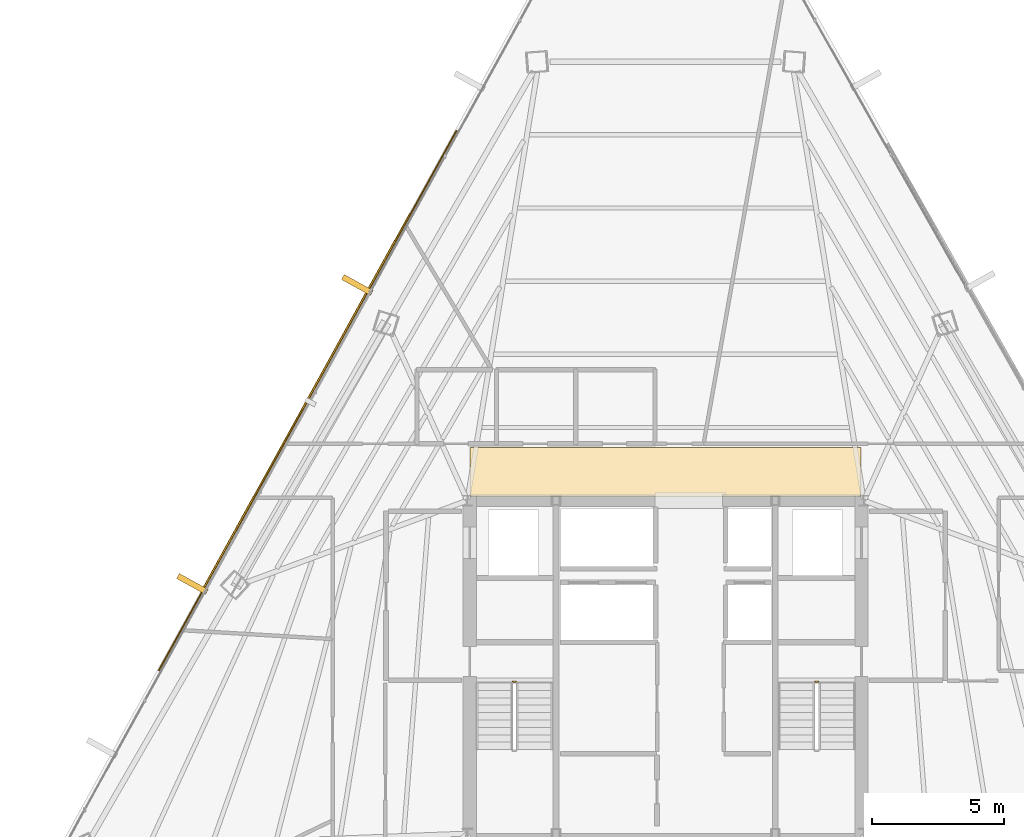
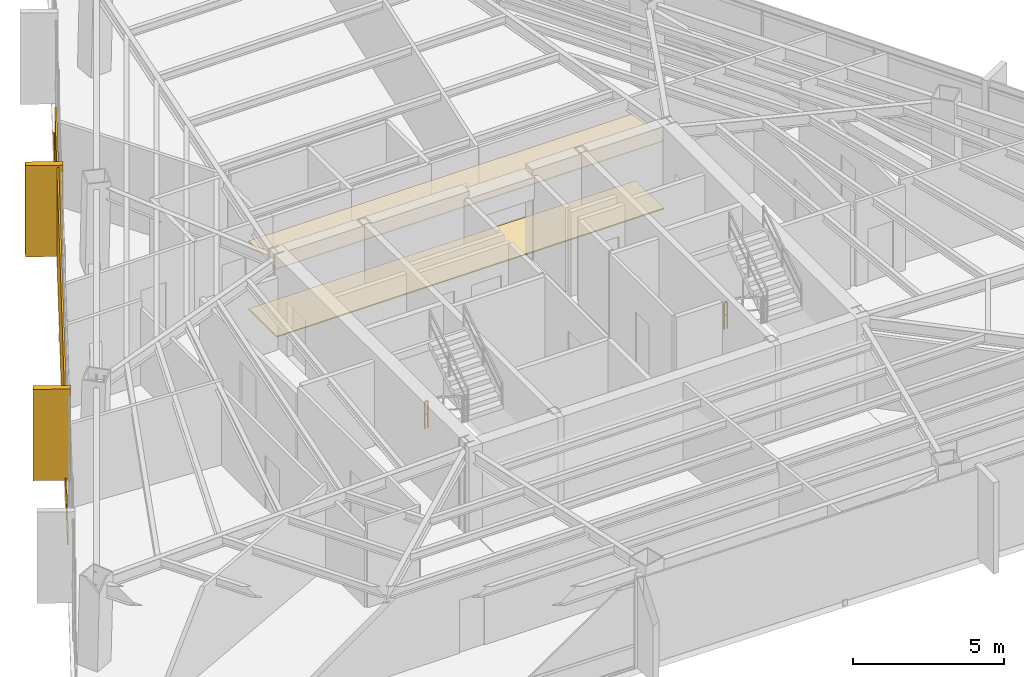
# One storey, part 39 of 40: 5 coverings, 2 railings, 1 shading device.
"""IFC4 building model written with IfcOpenShell, lengths in metres."""

import ifcopenshell
import ifcopenshell.guid

model = None  # the IFC model being written
_history = None  # IfcOwnerHistory: only IFC2X3 demands one
_inside = {}  # id of a spatial element -> (the spatial element, [elements in it])
_under = {}  # id of a project, library or spatial element -> (it, [spatial elements below it])
_declared = {}  # id of a project -> (the project, [libraries it declares])
_typed = {}  # id of a type object -> (the type object, [elements of that type])
_made_of = {}  # id of a material, layer set ... -> (it, [elements and type objects made of it])


def new_model(schema):
    """Start an empty IFC model of exactly this schema.

    Asked for "IFC4X3", IfcOpenShell would pick the latest addendum, in which some entities
    have other attributes; the version numbers below select the first issue.
    IFC2X3 requires an IfcOwnerHistory on every rooted entity: one is made here for all.
    """
    global model, _history
    if schema == "IFC4X3":
        model = ifcopenshell.file(schema_version=(4, 3, 0, 0))
    else:
        model = ifcopenshell.file(schema=schema)
    _inside.clear()
    _under.clear()
    _declared.clear()
    _typed.clear()
    _made_of.clear()
    _history = None
    if model.schema == "IFC2X3":
        org = make("IfcOrganization", Name="unknown")
        user = make(
            "IfcPersonAndOrganization",
            ThePerson=make("IfcPerson", FamilyName="unknown"),
            TheOrganization=org,
        )
        app = make(
            "IfcApplication",
            ApplicationDeveloper=org,
            Version="unknown",
            ApplicationFullName="unknown",
            ApplicationIdentifier="unknown",
        )
        _history = make(
            "IfcOwnerHistory",
            OwningUser=user,
            OwningApplication=app,
            ChangeAction="ADDED",
            CreationDate=0,
        )
    return model


def make(cls, **values):
    """One entity of the class cls with the attributes given. An attribute that is None is left unset."""
    return model.create_entity(
        cls, **{name: value for name, value in values.items() if value is not None}
    )


def rooted(cls, **values):
    """An entity with a GlobalId (a new one), such as an element, a storey or a relation."""
    return make(cls, GlobalId=ifcopenshell.guid.new(), OwnerHistory=_history, **values)


def si_unit(unit_type, name, prefix=None):
    """IfcSIUnit, for example si_unit("LENGTHUNIT", "METRE", prefix="MILLI")."""
    return make("IfcSIUnit", UnitType=unit_type, Prefix=prefix, Name=name)


def assignment(units):
    """IfcUnitAssignment: the units of a project."""
    return None if units is None else make("IfcUnitAssignment", Units=units)


def point(xyz):
    """IfcCartesianPoint."""
    return None if xyz is None else make("IfcCartesianPoint", Coordinates=xyz)


def direction(xyz):
    """IfcDirection."""
    return None if xyz is None else make("IfcDirection", DirectionRatios=xyz)


def frame(location, z_axis=None, x_axis=None):
    """IfcAxis2Placement3D, a coordinate frame: its origin and axes. An axis left out is left unset."""
    return make(
        "IfcAxis2Placement3D",
        Location=point(location),
        Axis=direction(z_axis),
        RefDirection=direction(x_axis),
    )


def frame_2d(location, x_axis=None):
    """IfcAxis2Placement2D, a coordinate frame in the plane: its origin and x axis."""
    return make(
        "IfcAxis2Placement2D", Location=point(location), RefDirection=direction(x_axis)
    )


def origin():
    """The frame at (0, 0, 0) with its axes left unset."""
    return frame((0.0, 0.0, 0.0))


def origin_2d():
    """The frame at (0, 0) in the plane with its x axis left unset."""
    return frame_2d((0.0, 0.0))


def place(relative_to, where):
    """IfcLocalPlacement: puts the frame where relative to a parent placement (None: the world)."""
    return make(
        "IfcLocalPlacement", PlacementRelTo=relative_to, RelativePlacement=where
    )


def context(
    kind, dimensions, precision=None, world=None, true_north=None, identifier=None
):
    """IfcGeometricRepresentationContext, for example the 3D "Model" context."""
    return make(
        "IfcGeometricRepresentationContext",
        ContextIdentifier=identifier,
        ContextType=kind,
        CoordinateSpaceDimension=dimensions,
        Precision=precision,
        WorldCoordinateSystem=world,
        TrueNorth=true_north,
    )


def subcontext(parent, identifier, kind, view, scale=None):
    """IfcGeometricRepresentationSubContext, for example "Body" below "Model"."""
    return make(
        "IfcGeometricRepresentationSubContext",
        ContextIdentifier=identifier,
        ContextType=kind,
        ParentContext=parent,
        TargetScale=scale,
        TargetView=view,
    )


def project(units=None, contexts=None):
    """IfcProject with its units and contexts."""
    return rooted(
        "IfcProject",
        Name="project",
        RepresentationContexts=contexts,
        UnitsInContext=assignment(units),
    )


def spatial(cls, under=None, at=None, **own):
    """A site, building, storey or space (cls), placed at a placement, below another one or the project."""
    s = rooted(cls, ObjectPlacement=at, **own)
    if under is not None:
        _under.setdefault(under.id(), (under, []))[1].append(s)
    return s


def polyline(points):
    """IfcPolyline through the points."""
    return make("IfcPolyline", Points=[point(p) for p in points])


def profile(cls, at=None, kind="AREA", **sizes):
    """A parametric profile (cls). Its sizes go by their IFC names, for example OverallWidth=200.0."""
    return make(cls, ProfileType=kind, Position=at, **sizes)


def rectangle(**sizes):
    """IfcRectangleProfileDef."""
    return profile("IfcRectangleProfileDef", **sizes)


def outline(outer, holes=None, kind="AREA"):
    """IfcArbitraryClosedProfileDef: a profile drawn as a closed curve; with holes, ...WithVoids."""
    if holes is None:
        return make("IfcArbitraryClosedProfileDef", ProfileType=kind, OuterCurve=outer)
    return make(
        "IfcArbitraryProfileDefWithVoids",
        ProfileType=kind,
        OuterCurve=outer,
        InnerCurves=holes,
    )


def extrude(swept, where, along, depth):
    """IfcExtrudedAreaSolid: the profile swept, set in the frame where, extruded along a direction by depth."""
    return make(
        "IfcExtrudedAreaSolid",
        SweptArea=swept,
        Position=where,
        ExtrudedDirection=direction(along),
        Depth=depth,
    )


def shape(context_of_items, identifier, shape_type, items):
    """IfcShapeRepresentation: the items that make up one representation, for example the "Body"."""
    return make(
        "IfcShapeRepresentation",
        ContextOfItems=context_of_items,
        RepresentationIdentifier=identifier,
        RepresentationType=shape_type,
        Items=items,
    )


def source(mapping_origin, context_of_items, identifier, shape_type, items):
    """IfcRepresentationMap: a shape defined once, which mapped items show again and again."""
    return make(
        "IfcRepresentationMap",
        MappingOrigin=mapping_origin,
        MappedRepresentation=shape(context_of_items, identifier, shape_type, items),
    )


def transform(
    local_origin,
    x_axis=None,
    y_axis=None,
    z_axis=None,
    scale=None,
    scale2=None,
    scale3=None,
    uniform=True,
):
    """IfcCartesianTransformationOperator3D, or its non-uniform kind. x_axis, y_axis, z_axis: its Axis1, 2, 3."""
    if uniform:
        return make(
            "IfcCartesianTransformationOperator3D",
            Axis1=direction(x_axis),
            Axis2=direction(y_axis),
            LocalOrigin=point(local_origin),
            Scale=scale,
            Axis3=direction(z_axis),
        )
    return make(
        "IfcCartesianTransformationOperator3DnonUniform",
        Axis1=direction(x_axis),
        Axis2=direction(y_axis),
        LocalOrigin=point(local_origin),
        Scale=scale,
        Axis3=direction(z_axis),
        Scale2=scale2,
        Scale3=scale3,
    )


def mapped(mapping_source, mapping_target):
    """IfcMappedItem: shows the shape of a source again, moved by a transform."""
    return make(
        "IfcMappedItem", MappingSource=mapping_source, MappingTarget=mapping_target
    )


def material(Name=None, Category=None):
    """IfcMaterial."""
    return make("IfcMaterial", Name=Name, Category=Category)


def layer(
    of_material, thickness, ventilated=None, Name=None, Category=None, Priority=None
):
    """IfcMaterialLayer: one layer of a wall or slab, of a material (None: an air gap)."""
    return make(
        "IfcMaterialLayer",
        Material=of_material,
        LayerThickness=thickness,
        IsVentilated=ventilated,
        Name=Name,
        Category=Category,
        Priority=Priority,
    )


def layer_set(layers, Name=None):
    """IfcMaterialLayerSet."""
    return make("IfcMaterialLayerSet", MaterialLayers=layers, LayerSetName=Name)


def made_of(thing, what):
    """Note that an element or type object is made of a material, layer set ...; save() writes the relation."""
    if what is not None:
        _made_of.setdefault(what.id(), (what, []))[1].append(thing)
    return thing


def type_object(cls, material=None, **own):
    """A type object (cls), such as IfcWallType, which elements share."""
    return made_of(rooted(cls, **own), material)


def type_shapes(of_type, sources):
    """Give a type object the sources (RepresentationMaps) that its elements show as mapped items."""
    of_type.RepresentationMaps = sources


def element(
    cls,
    number,
    at=None,
    inside=None,
    cuts=None,
    type_object=None,
    material=None,
    context=None,
    identifier="Body",
    shape_type=None,
    held_by="IfcProductDefinitionShape",
    body=None,
    shapes=None,
    **own,
):
    """One element of the class cls, such as IfcWall. Its Tag is "e" and its number.

    at: its placement. inside: the storey or other place that contains it. cuts: it is an
    opening in that element (IfcRelVoidsElement). A single representation is given by context,
    identifier, shape_type and body (its items); several are given by shapes. held_by: the class
    of the entity that holds the representations. save() writes the other relations.
    """
    e = rooted(cls, Tag="e%d" % number, ObjectPlacement=at, **own)
    if body is not None:
        shapes = [shape(context, identifier, shape_type, body)]
    if shapes is not None:
        e.Representation = make(held_by, Representations=shapes)
    if inside is not None:
        _inside.setdefault(inside.id(), (inside, []))[1].append(e)
    if cuts is not None:
        rooted(
            "IfcRelVoidsElement", RelatingBuildingElement=cuts, RelatedOpeningElement=e
        )
    if type_object is not None:
        _typed.setdefault(type_object.id(), (type_object, []))[1].append(e)
    return made_of(e, material)


def aggregate(whole, parts):
    """IfcRelAggregates: a whole, such as a stair, and the parts it consists of."""
    return rooted("IfcRelAggregates", RelatingObject=whole, RelatedObjects=parts)


def save(model, path):
    """Write the relations noted so far, then the file.

    IfcRelAggregates (storeys below a building ...), IfcRelContainedInSpatialStructure (elements
    in a storey), IfcRelDefinesByType, IfcRelAssociatesMaterial and IfcRelDeclares: one each for
    every whole, place, type object, material and project.
    """
    for whole, parts in _under.values():
        aggregate(whole, parts)
    for where, things in _inside.values():
        rooted(
            "IfcRelContainedInSpatialStructure",
            RelatedElements=things,
            RelatingStructure=where,
        )
    for kind, things in _typed.values():
        rooted("IfcRelDefinesByType", RelatedObjects=things, RelatingType=kind)
    for what, things in _made_of.values():
        rooted("IfcRelAssociatesMaterial", RelatedObjects=things, RelatingMaterial=what)
    for by, libraries in _declared.values():
        rooted("IfcRelDeclares", RelatingContext=by, RelatedDefinitions=libraries)
    model.write(path)


model = new_model("IFC4")

# Units and contexts
model_context = context("Model", 3, precision=1e-05, world=origin(), true_north=direction((0.0, 1.0)))
body_context = subcontext(model_context, "Body", "Model", "MODEL_VIEW")
ifc_project = project(units=[si_unit("LENGTHUNIT", "METRE"), si_unit("AREAUNIT", "SQUARE_METRE"), si_unit("VOLUMEUNIT", "CUBIC_METRE"), si_unit("PLANEANGLEUNIT", "RADIAN"), si_unit("MASSUNIT", "GRAM", prefix="KILO")], contexts=[model_context])

# Site, building, storey
site_placement = place(None, origin())
site = spatial("IfcSite", under=ifc_project, at=site_placement, CompositionType="ELEMENT")
building_placement = place(site_placement, origin())
building = spatial("IfcBuilding", under=site, at=building_placement, Name="Caelisora Broadcast Tower", CompositionType="ELEMENT")
storey_placement = place(building_placement, frame((0.0, 0.0, 213.25)))
storey = spatial("IfcBuildingStorey", under=building, at=storey_placement, Name="L56", CompositionType="ELEMENT", Elevation=213.25)

# Coverings
ifc_material_1 = material(Name="Perforated Mineral-Fibre Acoustic Ceiling Tile", Category="gypsum")
ifc_layer_1 = layer(ifc_material_1, 0.034912109375, Name="Perforated Mineral-Fibre Acoustic Ceiling Tile")
ifc_layer_set_1 = layer_set([ifc_layer_1], Name="Perforated Mineral-Fibre Acoustic Ceiling Tile")
covering_type_1 = type_object("IfcCoveringType", Name="CE-1", PredefinedType="CEILING", material=ifc_layer_set_1)
covering_1_placement = place(storey_placement, frame((0.0, 0.0, 2.75)))
element("IfcCovering", 1, at=covering_1_placement, inside=storey, type_object=covering_type_1, Name="L56 acoustic corridor ceiling CE-1 (N)", PredefinedType="CEILING", context=body_context, shape_type="SweptSolid", body=[
    extrude(outline(polyline([(30.60009765625, 30.14990234375), (45.39990234375, 30.14990234375), (45.39990234375, 32.0), (30.60009765625, 32.0), (30.60009765625, 30.14990234375)])), origin(), (0.0, 0.0, 1.0), 0.034912109375),
])
ifc_material_2 = material(Name="Anti-Static Broadcast Raised Access Floor Panel", Category="steel")
ifc_layer_2 = layer(ifc_material_2, 0.044921875, Name="Anti-Static Broadcast Raised Access Floor Panel")
ifc_layer_set_2 = layer_set([ifc_layer_2], Name="Anti-Static Broadcast Raised Access Floor Panel")
covering_type_2 = type_object("IfcCoveringType", Name="FL-1", PredefinedType="FLOORING", material=ifc_layer_set_2)
covering_2_placement = place(storey_placement, origin())
element("IfcCovering", 2, at=covering_2_placement, inside=storey, type_object=covering_type_2, Name="L56 broadcast raised access floor FL-1 (N)", PredefinedType="FLOORING", context=body_context, shape_type="SweptSolid", body=[
    extrude(outline(polyline([(30.60009765625, 30.14990234375), (45.39990234375, 30.14990234375), (45.39990234375, 32.0), (30.60009765625, 32.0), (30.60009765625, 30.14990234375)])), origin(), (0.0, 0.0, 1.0), 0.044921875),
])

# Railings
ifc_material_3 = material(Name="Galvanised Steel Safety Guardrail", Category="steel")
ifc_layer_3 = layer(ifc_material_3, 0.048095703125, Name="Galvanised Steel Safety Guardrail")
ifc_layer_set_3 = layer_set([ifc_layer_3], Name="Galvanised Steel Safety Guardrail")
railing_type = type_object("IfcRailingType", Name="GR-1", PredefinedType="GUARDRAIL", material=ifc_layer_set_3)
for number, where, name in (
    (3, (32.219970703125, 23.14990234375, 0.0), "L56 ST-1 stair guard 4"),
    (4, (43.659912109375, 23.14990234375, 0.0), "L56 ST-2 stair guard 4"),
):
    element("IfcRailing", number, at=place(storey_placement, frame(where)), inside=storey, type_object=railing_type, Name=name, PredefinedType="GUARDRAIL", context=body_context, shape_type="SweptSolid", body=[
        extrude(rectangle(XDim=0.048095703125, YDim=0.048095703125, at=origin_2d()), frame((0.0, 0.0, 1.076171875), z_axis=(1.0, 0.0, 0.0), x_axis=(0.0, 1.0, 0.0)), (0.0, 0.0, 1.0), 0.1201171875),
        extrude(rectangle(XDim=0.03125, YDim=0.03125, at=origin_2d()), frame((0.0, 0.0, 0.550048828125), z_axis=(1.0, 0.0, 0.0), x_axis=(0.0, 1.0, 0.0)), (0.0, 0.0, 1.0), 0.1201171875),
        extrude(rectangle(XDim=0.0419921875, YDim=0.0419921875, at=origin_2d()), origin(), (0.0, 0.0, 1.0), 1.052001953125),
        extrude(rectangle(XDim=0.0419921875, YDim=0.0419921875, at=origin_2d()), frame((0.1201171875, 0.0, 0.0)), (0.0, 0.0, 1.0), 1.052001953125),
    ])

# Coverings
ifc_material_4 = material(Name="Kiln-Fired Terracotta Spandrel Rainscreen Cladding", Category="ceramic")
ifc_layer_4 = layer(ifc_material_4, 0.044921875, Name="Kiln-Fired Terracotta Spandrel Rainscreen Cladding")
ifc_layer_set_4 = layer_set([ifc_layer_4], Name="Kiln-Fired Terracotta Spandrel Rainscreen Cladding")
covering_type_3 = type_object("IfcCoveringType", Name="CL-1", PredefinedType="CLADDING", material=ifc_layer_set_4)
shared_shape_1 = source(origin(), body_context, "Body", "SweptSolid", [
    extrude(rectangle(XDim=0.219970703125, YDim=1.25, at=origin_2d()), origin(), (0.0, 0.0, 1.0), 3.68994140625),
])
for number, where, z_axis, x_axis, name in (
    (5, (20.09619140625, 26.844482421875, -0.02001953125), (0.0, 0.0, 1.0), (0.482976759048, 0.875633171036, 0.0), "L56 vertical solar fin cladding #3-2"),
    (6, (26.33544921875, 38.15771484375, -0.02001953125), (0.0, 0.0, 1.0), (0.482976759048, 0.875633171036, 0.0), "L56 vertical solar fin cladding #3-3"),
):
    element("IfcCovering", number, at=place(storey_placement, frame(where, z_axis=z_axis, x_axis=x_axis)), inside=storey, type_object=covering_type_3, Name=name, PredefinedType="CLADDING", context=body_context, shape_type="MappedRepresentation", body=[
        mapped(shared_shape_1, transform((0.0, 0.0, 0.0), scale=1.0)),
    ])

# Shading device
ifc_material_5 = material(Name="Perforated Glazed Terracotta Baguette Solar Screen", Category="ceramic")
ifc_layer_5 = layer(ifc_material_5, 0.06494140625, Name="Perforated Glazed Terracotta Baguette Solar Screen")
ifc_layer_set_5 = layer_set([ifc_layer_5], Name="Perforated Glazed Terracotta Baguette Solar Screen")
shading_device_type = type_object("IfcShadingDeviceType", Name="SS-1", PredefinedType="USERDEFINED", material=ifc_layer_set_5)
shared_shape_2 = source(origin(), body_context, "Body", "SweptSolid", [
    extrude(rectangle(XDim=16.15087890625, YDim=0.06494140625, at=origin_2d()), origin(), (0.0, 0.0, 1.0), 3.590087890625),
])
type_shapes(shading_device_type, [shared_shape_2])
shading_device_placement = place(storey_placement, frame((24.44189453125, 33.792724609375, 0.0), z_axis=(0.0, 0.0, 1.0), x_axis=(-0.482976759048, -0.875633171036, 0.0)))
element("IfcShadingDevice", 7, at=shading_device_placement, inside=storey, type_object=shading_device_type, Name="L56 perforated terracotta solar screen #1", ObjectType="SOLAR SCREEN", PredefinedType="USERDEFINED", context=body_context, shape_type="MappedRepresentation", body=[
    mapped(shared_shape_2, transform((0.0, 0.0, 0.0), scale=1.0)),
])

# Covering
shared_shape_3 = source(origin(), body_context, "Body", "SweptSolid", [
    extrude(rectangle(XDim=23.3291015625, YDim=0.044921875, at=origin_2d()), origin(), (0.0, 0.0, 1.0), 0.340087890625),
])
type_shapes(covering_type_3, [shared_shape_1, shared_shape_3])
covering_3_placement = place(storey_placement, frame((24.45947265625, 33.782958984375, -0.27001953125), z_axis=(0.0, 0.0, 1.0), x_axis=(-0.482976759048, -0.875633171036, 0.0)))
element("IfcCovering", 8, at=covering_3_placement, inside=storey, type_object=covering_type_3, Name="L56 terracotta spandrel rainscreen #1", PredefinedType="CLADDING", context=body_context, shape_type="MappedRepresentation", body=[
    mapped(shared_shape_3, transform((0.0, 0.0, 0.0), scale=1.0)),
])

save(model, "model.ifc")
